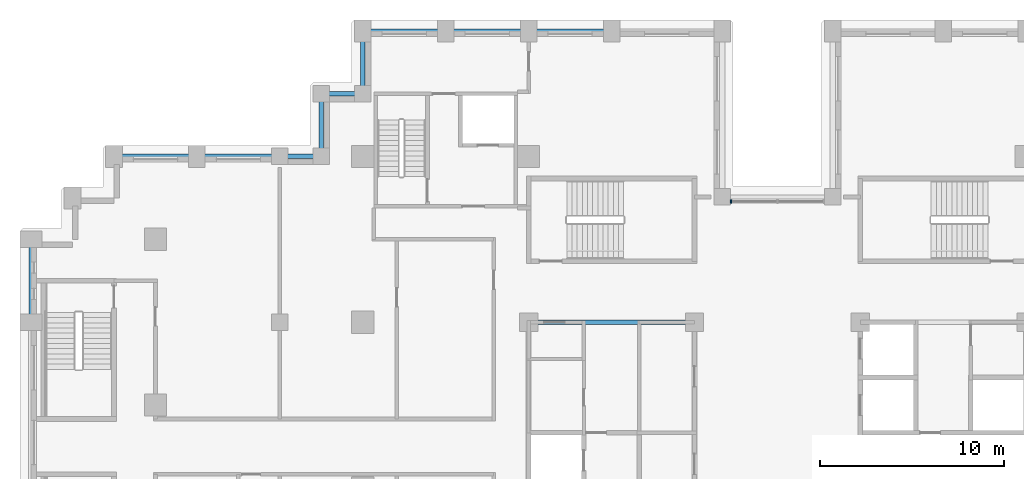
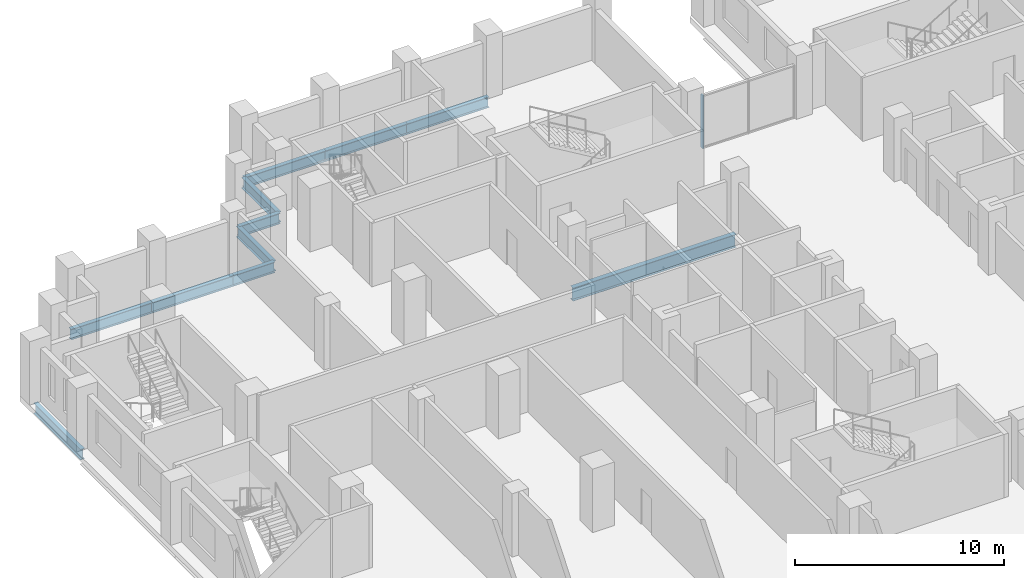
# One storey, part 3 of 16: 11 beams, 1 member, 1 element without a shape of its own.
"""IFC4 building model written with IfcOpenShell, lengths in metres."""

from ifc_helpers import new_model, si_unit, direction, frame, origin, origin_2d, place, context, subcontext, project, spatial, rectangle, i_section, extrude, material, layer, layer_set, material_profile, profile_set, type_object, element, aggregate, save


model = new_model("IFC4")

# Units and contexts
model_context = context("Model", 3, precision=1e-05, world=origin(), true_north=direction((0.0, 1.0)))
body_context = subcontext(model_context, "Body", "Model", "MODEL_VIEW")
ifc_project = project(units=[si_unit("LENGTHUNIT", "METRE"), si_unit("AREAUNIT", "SQUARE_METRE"), si_unit("VOLUMEUNIT", "CUBIC_METRE"), si_unit("PLANEANGLEUNIT", "RADIAN"), si_unit("MASSUNIT", "GRAM", prefix="KILO")], contexts=[model_context])

# Site, building, storey
site_placement = place(None, origin())
site = spatial("IfcSite", under=ifc_project, at=site_placement, CompositionType="ELEMENT")
building_placement = place(site_placement, origin())
building = spatial("IfcBuilding", under=site, at=building_placement, Name="Corbelhall Arena Tower", CompositionType="ELEMENT")
storey_placement = place(building_placement, frame((0.0, 0.0, 108.0)))
storey = spatial("IfcBuildingStorey", under=building, at=storey_placement, Name="L19", CompositionType="ELEMENT", Elevation=108.0)

# Curtain wall, member
ifc_material_1 = material(Name="Aluminium black anodised", Category="aluminium")
ifc_layer = layer(ifc_material_1, 0.199951171875)
ifc_layer_set = layer_set([ifc_layer], Name="EV-CW1 Slot back wall")
curtain_wall_type = type_object("IfcCurtainWallType", Name="EV-CW1 Slot back wall", PredefinedType="NOTDEFINED", material=ifc_layer_set)
curtain_wall_placement = place(storey_placement, origin())
curtain_wall = element("IfcCurtainWall", 1, at=curtain_wall_placement, inside=storey, type_object=curtain_wall_type, Name="Curtain wall CW1", PredefinedType="NOTDEFINED")
ifc_material_profile_1 = material_profile(ifc_material_1, rectangle(XDim=0.199951171875, YDim=0.074951171875, at=origin_2d()))
ifc_profile_set_1 = profile_set([ifc_material_profile_1], Name="Aluminium black anodised")
member_type = type_object("IfcMemberType", Name="EV-CW1-MULLION", PredefinedType="MULLION", material=ifc_profile_set_1)
member_placement = place(storey_placement, frame((-2.512451171875, 15.550048828125, 0.0), z_axis=(0.0, 0.0, 1.0), x_axis=(0.0, -1.0, 0.0)))
member = element("IfcMember", 2, at=member_placement, type_object=member_type, Name="CW1 mullion 3", PredefinedType="MULLION", context=body_context, shape_type="SweptSolid", body=[
    extrude(rectangle(XDim=0.199951171875, YDim=0.074951171875, at=origin_2d()), origin(), (0.0, 0.0, 1.0), 3.10009765625),
])
aggregate(curtain_wall, [member])

# Beams
ifc_material_2 = material(Name="Steel ASTM A992 Gr50", Category="steel")
ifc_material_profile_2 = material_profile(ifc_material_2, i_section(OverallWidth=0.2666015625, OverallDepth=0.761962890625, WebThickness=0.014404296875, FlangeThickness=0.021484375, at=origin_2d()))
ifc_profile_set_2 = profile_set([ifc_material_profile_2], Name="Steel ASTM A992 Gr50")
beam_type_1 = type_object("IfcBeamType", Name="ST-BEAM-W30x116", PredefinedType="BEAM", material=ifc_profile_set_2)
beam_1_placement = place(storey_placement, frame((-13.5, 9.0, -0.680908203125), z_axis=(1.0, 0.0, 0.0), x_axis=(0.0, 1.0, 0.0)))
element("IfcBeam", 3, at=beam_1_placement, inside=storey, type_object=beam_type_1, Name="Beam CEW 6", PredefinedType="BEAM", context=body_context, shape_type="SweptSolid", body=[
    extrude(i_section(OverallWidth=0.2666015625, OverallDepth=0.761962890625, WebThickness=0.014404296875, FlangeThickness=0.021484375, at=origin_2d()), origin(), (0.0, 0.0, 1.0), 9.0),
])
ifc_material_profile_3 = material_profile(ifc_material_2, i_section(OverallWidth=0.23046875, OverallDepth=0.6171875, WebThickness=0.01318359375, FlangeThickness=0.022216796875, at=origin_2d()))
ifc_profile_set_3 = profile_set([ifc_material_profile_3], Name="Steel ASTM A992 Gr50")
beam_type_2 = type_object("IfcBeamType", Name="ST-SPANDREL-W24x94", PredefinedType="SPANDREL", material=ifc_profile_set_3)
for number, where, z_axis, x_axis, name in (
    (4, (-40.5, 9.0, -0.608642578125), (0.0, 1.0, 0.0), (-1.0, 0.0, 0.0), "Beam SP 2"),
    (5, (-31.5, 18.0, -0.608642578125), (1.0, 0.0, 0.0), (0.0, 1.0, 0.0), "Beam SP 5"),
    (6, (-36.0, 18.0, -0.608642578125), (1.0, 0.0, 0.0), (0.0, 1.0, 0.0), "Beam SP 6"),
    (7, (-13.5, 24.800048828125, -0.608642578125), (1.0, 0.0, 0.0), (0.0, 1.0, 0.0), "Beam SP 24"),
    (8, (-18.0, 24.800048828125, -0.608642578125), (1.0, 0.0, 0.0), (0.0, 1.0, 0.0), "Beam SP 25"),
    (9, (-22.5, 24.800048828125, -0.608642578125), (1.0, 0.0, 0.0), (0.0, 1.0, 0.0), "Beam SP 26"),
):
    element("IfcBeam", number, at=place(storey_placement, frame(where, z_axis=z_axis, x_axis=x_axis)), inside=storey, type_object=beam_type_2, Name=name, PredefinedType="SPANDREL", context=body_context, shape_type="SweptSolid", body=[
        extrude(i_section(OverallWidth=0.23046875, OverallDepth=0.6171875, WebThickness=0.01318359375, FlangeThickness=0.022216796875, at=origin_2d()), origin(), (0.0, 0.0, 1.0), 4.5),
    ])
beam_2_placement = place(storey_placement, frame((-27.0, 18.0, -0.608642578125), z_axis=(1.0, 0.0, 0.0), x_axis=(0.0, 1.0, 0.0)))
element("IfcBeam", 10, at=beam_2_placement, inside=storey, type_object=beam_type_2, Name="Beam SP 37", PredefinedType="SPANDREL", context=body_context, shape_type="SweptSolid", body=[
    extrude(i_section(OverallWidth=0.23046875, OverallDepth=0.6171875, WebThickness=0.01318359375, FlangeThickness=0.022216796875, at=origin_2d()), origin(), (0.0, 0.0, 1.0), 2.25),
])
beam_3_placement = place(storey_placement, frame((-22.5, 21.39990234375, -0.608642578125), z_axis=(0.0, 1.0, 0.0), x_axis=(-1.0, 0.0, 0.0)))
element("IfcBeam", 11, at=beam_3_placement, inside=storey, type_object=beam_type_2, Name="Beam SP 46", PredefinedType="SPANDREL", context=body_context, shape_type="SweptSolid", body=[
    extrude(i_section(OverallWidth=0.23046875, OverallDepth=0.6171875, WebThickness=0.01318359375, FlangeThickness=0.022216796875, at=origin_2d()), origin(), (0.0, 0.0, 1.0), 3.400146484375),
])
beam_4_placement = place(storey_placement, frame((-24.75, 21.39990234375, -0.608642578125), z_axis=(1.0, 0.0, 0.0), x_axis=(0.0, 1.0, 0.0)))
element("IfcBeam", 12, at=beam_4_placement, inside=storey, type_object=beam_type_2, Name="Beam SP 47", PredefinedType="SPANDREL", context=body_context, shape_type="SweptSolid", body=[
    extrude(i_section(OverallWidth=0.23046875, OverallDepth=0.6171875, WebThickness=0.01318359375, FlangeThickness=0.022216796875, at=origin_2d()), origin(), (0.0, 0.0, 1.0), 2.25),
])
beam_5_placement = place(storey_placement, frame((-24.75, 18.0, -0.608642578125), z_axis=(0.0, 1.0, 0.0), x_axis=(-1.0, 0.0, 0.0)))
element("IfcBeam", 13, at=beam_5_placement, inside=storey, type_object=beam_type_2, Name="Beam SP 48", PredefinedType="SPANDREL", context=body_context, shape_type="SweptSolid", body=[
    extrude(i_section(OverallWidth=0.23046875, OverallDepth=0.6171875, WebThickness=0.01318359375, FlangeThickness=0.022216796875, at=origin_2d()), origin(), (0.0, 0.0, 1.0), 3.39990234375),
])

save(model, "model.ifc")
